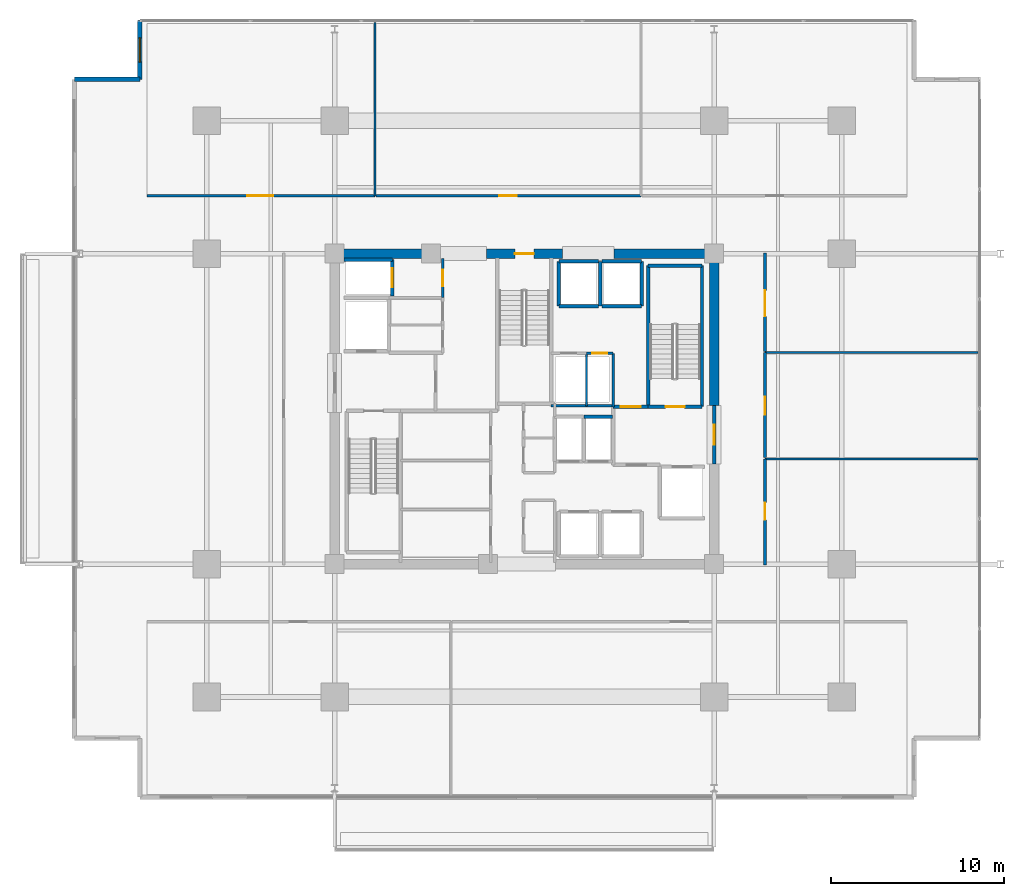
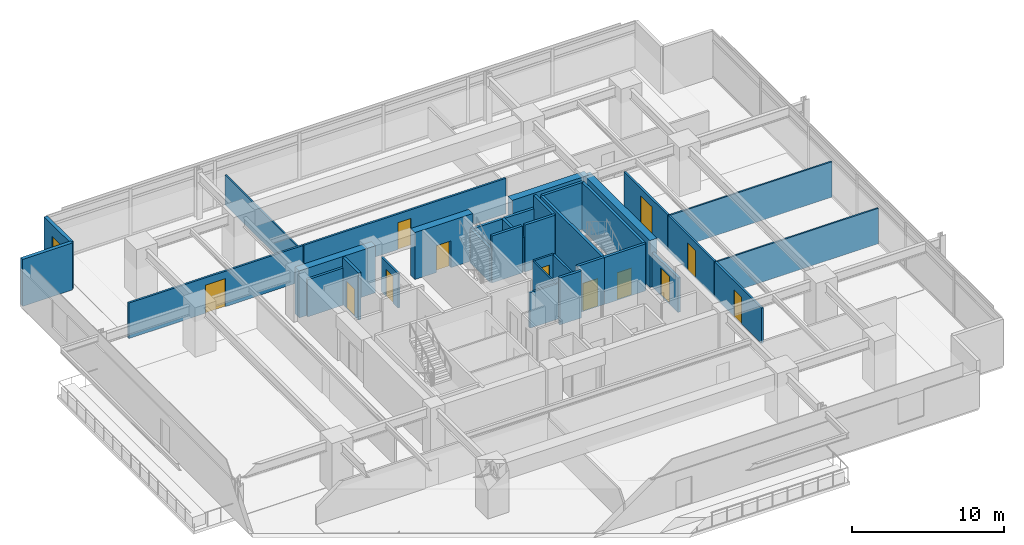
# One storey, part 16 of 23: 35 walls, 12 doors, 1 window, 13 openings.
"""IFC4 building model written with IfcOpenShell, lengths in metres."""

from ifc_helpers import new_model, si_unit, direction, frame, frame_2d, origin, place, context, subcontext, project, spatial, rectangle, extrude, material, layer, layer_set, type_object, element, fill, save


model = new_model("IFC4")

# Units and contexts
model_context = context("Model", 3, precision=1e-05, world=origin(), true_north=direction((0.0, 1.0)))
body_context = subcontext(model_context, "Body", "Model", "MODEL_VIEW")
ifc_project = project(units=[si_unit("LENGTHUNIT", "METRE"), si_unit("AREAUNIT", "SQUARE_METRE"), si_unit("VOLUMEUNIT", "CUBIC_METRE"), si_unit("PLANEANGLEUNIT", "RADIAN"), si_unit("MASSUNIT", "GRAM", prefix="KILO")], contexts=[model_context])

# Site, building, storey
site_placement = place(None, origin())
site = spatial("IfcSite", under=ifc_project, at=site_placement, CompositionType="ELEMENT")
building_placement = place(site_placement, origin())
building = spatial("IfcBuilding", under=site, at=building_placement, Name="Kovane Verandah Tower", CompositionType="ELEMENT")
storey_placement = place(building_placement, frame((0.0, 0.0, 136.39990234375)))
storey = spatial("IfcBuildingStorey", under=building, at=storey_placement, Name="L31", CompositionType="ELEMENT", Elevation=136.39990234375)

# Wall, opening, door
ifc_material_1 = material(Name="Fire-Rated Gypsum Stud Partition", Category="gypsum")
ifc_layer_1 = layer(ifc_material_1, 0.14990234375)
ifc_layer_set_1 = layer_set([ifc_layer_1], Name="Fire-Rated Gypsum Stud Partition")
wall_type_1 = type_object("IfcWallType", Name="WL-COR-150", PredefinedType="PARTITIONING", material=ifc_layer_set_1)
wall_1_placement = place(storey_placement, frame((35.280029296875, 33.949951171875, 0.0), z_axis=(0.0, 0.0, 1.0), x_axis=(0.0, 1.0, 0.0)))
wall_1 = element("IfcWall", 1, at=wall_1_placement, inside=storey, type_object=wall_type_1, Name="L31 Goods Lift Lobby East Fire Partition", PredefinedType="PARTITIONING", context=body_context, shape_type="SweptSolid", body=[
    extrude(rectangle(XDim=2.27001953125, YDim=0.14990234375, at=frame_2d((1.135009765625, 0.0))), origin(), (0.0, 0.0, 1.0), 2.755126953125),
])
opening_1_placement = place(wall_1_placement, frame((0.659912109375, 0.0, 0.0)))
opening_1 = element("IfcOpeningElement", 2, at=opening_1_placement, cuts=wall_1, Name="Opening DR-L31-008", PredefinedType="OPENING", context=body_context, shape_type="SweptSolid", body=[
    extrude(rectangle(XDim=0.949951171875, YDim=2.14990234375, at=frame_2d((0.47509765625, 1.074951171875))), frame((0.0, 0.074951171875, 0.0), z_axis=(0.0, -1.0, 0.0), x_axis=(1.0, 0.0, 0.0)), (0.0, 0.0, 1.0), 0.14990234375),
])
ifc_material_2 = material(Name="Fire-Rated Steel Refuge and Lobby Door", Category="steel")
door_type_1 = type_object("IfcDoorType", Name="DR-FIRE-950", OperationType="SINGLE_SWING_LEFT", PredefinedType="DOOR", material=ifc_material_2)
door_1_placement = place(opening_1_placement, origin())
door_1 = element("IfcDoor", 3, at=door_1_placement, inside=storey, type_object=door_type_1, Name="L31 Goods Lift Lobby Fire Door", OperationType="SINGLE_SWING_RIGHT", OverallHeight=2.14990234375, OverallWidth=0.949951171875, PredefinedType="DOOR", context=body_context, shape_type="SweptSolid", body=[
    extrude(rectangle(XDim=0.949951171875, YDim=2.14990234375, at=frame_2d((0.47509765625, 1.074951171875))), frame((0.0, 0.02490234375, 0.0), z_axis=(0.0, -1.0, 0.0), x_axis=(1.0, 0.0, 0.0)), (0.0, 0.0, 1.0), 0.050048828125),
])
fill(opening_1, door_1)

# Walls
wall_2_placement = place(storey_placement, frame((41.56005859375, 27.679931640625, 0.0), z_axis=(0.0, 0.0, 1.0), x_axis=(1.0, 0.0, 0.0)))
element("IfcWall", 4, at=wall_2_placement, inside=storey, type_object=wall_type_1, Name="L31 East Core Service Riser South Wall", PredefinedType="PARTITIONING", context=body_context, shape_type="SweptSolid", body=[
    extrude(rectangle(XDim=3.58984375, YDim=0.14990234375, at=frame_2d((1.794921875, 0.0))), origin(), (0.0, 0.0, 1.0), 2.85009765625),
])
wall_3_placement = place(storey_placement, frame((45.14990234375, 27.6201171875, 0.0), z_axis=(0.0, 0.0, 1.0), x_axis=(0.0, 1.0, 0.0)))
element("IfcWall", 5, at=wall_3_placement, inside=storey, type_object=wall_type_1, Name="L31 East Core Service Riser East Wall", PredefinedType="PARTITIONING", context=body_context, shape_type="SweptSolid", body=[
    extrude(rectangle(XDim=3.099853515625, YDim=0.14990234375, at=frame_2d((1.5498046875, 0.0))), origin(), (0.0, 0.0, 1.0), 2.85009765625),
])

# Wall, opening, door
wall_4_placement = place(storey_placement, frame((43.60009765625, 30.719970703125, 0.0), z_axis=(0.0, 0.0, 1.0), x_axis=(1.0, 0.0, 0.0)))
wall_4 = element("IfcWall", 6, at=wall_4_placement, inside=storey, type_object=wall_type_1, Name="L31 Sprinkler Wet Riser Room Partition", PredefinedType="PARTITIONING", context=body_context, shape_type="SweptSolid", body=[
    extrude(rectangle(XDim=1.5498046875, YDim=0.14990234375, at=frame_2d((0.77490234375, 0.0))), origin(), (0.0, 0.0, 1.0), 2.85009765625),
])
opening_2_placement = place(wall_4_placement, frame((0.3349609375, 0.0, 0.0)))
opening_2 = element("IfcOpeningElement", 7, at=opening_2_placement, cuts=wall_4, Name="Opening DR-L31-020", PredefinedType="OPENING", context=body_context, shape_type="SweptSolid", body=[
    extrude(rectangle(XDim=0.8798828125, YDim=2.10009765625, at=frame_2d((0.43994140625, 1.050048828125))), frame((0.0, 0.074951171875, 0.0), z_axis=(0.0, -1.0, 0.0), x_axis=(1.0, 0.0, 0.0)), (0.0, 0.0, 1.0), 0.14990234375),
])
ifc_material_3 = material(Name="Fire-Rated Steel Riser Access Door", Category="steel")
door_type_2 = type_object("IfcDoorType", Name="DR-RISER-880", OperationType="SINGLE_SWING_LEFT", PredefinedType="DOOR", material=ifc_material_3)
door_2_placement = place(opening_2_placement, origin())
door_2 = element("IfcDoor", 8, at=door_2_placement, inside=storey, type_object=door_type_2, Name="L31 Sprinkler Wet Riser Room Door", OperationType="SINGLE_SWING_LEFT", OverallHeight=2.10009765625, OverallWidth=0.8798828125, PredefinedType="DOOR", context=body_context, shape_type="SweptSolid", body=[
    extrude(rectangle(XDim=0.8798828125, YDim=2.10009765625, at=frame_2d((0.43994140625, 1.050048828125))), frame((0.0, 0.02490234375, 0.0), z_axis=(0.0, -1.0, 0.0), x_axis=(1.0, 0.0, 0.0)), (0.0, 0.0, 1.0), 0.050048828125),
])
fill(opening_2, door_2)

wall_5_placement = place(storey_placement, frame((18.113525390625, 39.85009765625, 0.0), z_axis=(0.0, 0.0, 1.0), x_axis=(1.0, 0.0, 0.0)))
wall_5 = element("IfcWall", 9, at=wall_5_placement, inside=storey, type_object=wall_type_1, Name="L31 Client Boardroom N1 Corridor Partition", PredefinedType="PARTITIONING", context=body_context, shape_type="SweptSolid", body=[
    extrude(rectangle(XDim=13.222900390625, YDim=0.14990234375, at=frame_2d((6.611328125, 0.0))), origin(), (0.0, 0.0, 1.0), 2.85009765625),
])
opening_3_placement = place(wall_5_placement, frame((5.826416015625, 0.0, 0.0)))
opening_3 = element("IfcOpeningElement", 10, at=opening_3_placement, cuts=wall_5, Name="Opening DR-L31-021", PredefinedType="OPENING", context=body_context, shape_type="SweptSolid", body=[
    extrude(rectangle(XDim=1.5, YDim=2.25, at=frame_2d((0.75, 1.125))), frame((0.0, 0.074951171875, 0.0), z_axis=(0.0, -1.0, 0.0), x_axis=(1.0, 0.0, 0.0)), (0.0, 0.0, 1.0), 0.14990234375),
])
ifc_material_4 = material(Name="Glazed Timber Fire-Rated Double Door", Category="wood")
door_type_3 = type_object("IfcDoorType", Name="DR-CONF-1500", OperationType="DOUBLE_DOOR_SINGLE_SWING", PredefinedType="DOOR", material=ifc_material_4)
door_3_placement = place(opening_3_placement, origin())
door_3 = element("IfcDoor", 11, at=door_3_placement, inside=storey, type_object=door_type_3, Name="L31 Client Boardroom N1 Entrance Door", OperationType="DOUBLE_DOOR_SINGLE_SWING", OverallHeight=2.25, OverallWidth=1.5, PredefinedType="DOOR", context=body_context, shape_type="SweptSolid", body=[
    extrude(rectangle(XDim=1.5, YDim=2.25, at=frame_2d((0.75, 1.125))), frame((0.0, 0.02490234375, 0.0), z_axis=(0.0, -1.0, 0.0), x_axis=(1.0, 0.0, 0.0)), (0.0, 0.0, 1.0), 0.050048828125),
])
fill(opening_3, door_3)

wall_6_placement = place(storey_placement, frame((31.406494140625, 39.85009765625, 0.0), z_axis=(0.0, 0.0, 1.0), x_axis=(1.0, 0.0, 0.0)))
wall_6 = element("IfcWall", 12, at=wall_6_placement, inside=storey, type_object=wall_type_1, Name="L31 Meeting Room N2 Corridor Partition", PredefinedType="PARTITIONING", context=body_context, shape_type="SweptSolid", body=[
    extrude(rectangle(XDim=15.356689453125, YDim=0.14990234375, at=frame_2d((7.67822265625, 0.0))), origin(), (0.0, 0.0, 1.0), 2.85009765625),
])
opening_4_placement = place(wall_6_placement, frame((7.143310546875, 0.0, 0.0)))
opening_4 = element("IfcOpeningElement", 13, at=opening_4_placement, cuts=wall_6, Name="Opening DR-L31-022", PredefinedType="OPENING", context=body_context, shape_type="SweptSolid", body=[
    extrude(rectangle(XDim=1.0, YDim=2.14990234375, at=frame_2d((0.5, 1.074951171875))), frame((0.0, 0.074951171875, 0.0), z_axis=(0.0, -1.0, 0.0), x_axis=(1.0, 0.0, 0.0)), (0.0, 0.0, 1.0), 0.14990234375),
])
ifc_material_5 = material(Name="FSC Spotted-Gum Timber Fire-Rated Office Door", Category="wood")
door_type_4 = type_object("IfcDoorType", Name="DR-OFF-1000", OperationType="SINGLE_SWING_LEFT", PredefinedType="DOOR", material=ifc_material_5)
door_4_placement = place(opening_4_placement, origin())
door_4 = element("IfcDoor", 14, at=door_4_placement, inside=storey, type_object=door_type_4, Name="L31 Meeting Room N2 Entrance Door", OperationType="SINGLE_SWING_LEFT", OverallHeight=2.14990234375, OverallWidth=1.0, PredefinedType="DOOR", context=body_context, shape_type="SweptSolid", body=[
    extrude(rectangle(XDim=1.0, YDim=2.14990234375, at=frame_2d((0.5, 1.074951171875))), frame((0.0, 0.02490234375, 0.0), z_axis=(0.0, -1.0, 0.0), x_axis=(1.0, 0.0, 0.0)), (0.0, 0.0, 1.0), 0.050048828125),
])
fill(opening_4, door_4)

wall_7_placement = place(storey_placement, frame((53.949951171875, 18.449951171875, 0.0), z_axis=(0.0, 0.0, 1.0), x_axis=(0.0, 1.0, 0.0)))
wall_7 = element("IfcWall", 15, at=wall_7_placement, inside=storey, type_object=wall_type_1, Name="L31 Open Plan Office E1 Corridor Partition", PredefinedType="PARTITIONING", context=body_context, shape_type="SweptSolid", body=[
    extrude(rectangle(XDim=6.154052734375, YDim=0.14990234375, at=frame_2d((3.0771484375, 0.0))), origin(), (0.0, 0.0, 1.0), 2.85009765625),
])
opening_5_placement = place(wall_7_placement, frame((2.616943359375, 0.0, 0.0)))
opening_5 = element("IfcOpeningElement", 16, at=opening_5_placement, cuts=wall_7, Name="Opening DR-L31-013", PredefinedType="OPENING", context=body_context, shape_type="SweptSolid", body=[
    extrude(rectangle(XDim=1.0, YDim=2.14990234375, at=frame_2d((0.5, 1.074951171875))), frame((0.0, 0.074951171875, 0.0), z_axis=(0.0, -1.0, 0.0), x_axis=(1.0, 0.0, 0.0)), (0.0, 0.0, 1.0), 0.14990234375),
])
door_5_placement = place(opening_5_placement, origin())
door_5 = element("IfcDoor", 17, at=door_5_placement, inside=storey, type_object=door_type_4, Name="L31 Open Plan Office E1 Entrance Door", OperationType="SINGLE_SWING_RIGHT", OverallHeight=2.14990234375, OverallWidth=1.0, PredefinedType="DOOR", context=body_context, shape_type="SweptSolid", body=[
    extrude(rectangle(XDim=1.0, YDim=2.14990234375, at=frame_2d((0.5, 1.074951171875))), frame((0.0, 0.02490234375, 0.0), z_axis=(0.0, -1.0, 0.0), x_axis=(1.0, 0.0, 0.0)), (0.0, 0.0, 1.0), 0.050048828125),
])
fill(opening_5, door_5)

wall_8_placement = place(storey_placement, frame((53.949951171875, 24.674072265625, 0.0), z_axis=(0.0, 0.0, 1.0), x_axis=(0.0, 1.0, 0.0)))
wall_8 = element("IfcWall", 18, at=wall_8_placement, inside=storey, type_object=wall_type_1, Name="L31 Executive Office E2 Corridor Partition", PredefinedType="PARTITIONING", context=body_context, shape_type="SweptSolid", body=[
    extrude(rectangle(XDim=6.083984375, YDim=0.14990234375, at=frame_2d((3.0419921875, 0.0))), origin(), (0.0, 0.0, 1.0), 2.85009765625),
])
opening_6_placement = place(wall_8_placement, frame((2.48193359375, 0.0, 0.0)))
opening_6 = element("IfcOpeningElement", 19, at=opening_6_placement, cuts=wall_8, Name="Opening DR-L31-014", PredefinedType="OPENING", context=body_context, shape_type="SweptSolid", body=[
    extrude(rectangle(XDim=1.050048828125, YDim=2.199951171875, at=frame_2d((0.52490234375, 1.10009765625))), frame((0.0, 0.074951171875, 0.0), z_axis=(0.0, -1.0, 0.0), x_axis=(1.0, 0.0, 0.0)), (0.0, 0.0, 1.0), 0.14990234375),
])
ifc_material_6 = material(Name="FSC Blackbutt Timber Fire-Rated Executive Door", Category="wood")
door_type_5 = type_object("IfcDoorType", Name="DR-EXEC-1050", OperationType="SINGLE_SWING_LEFT", PredefinedType="DOOR", material=ifc_material_6)
door_6_placement = place(opening_6_placement, origin())
door_6 = element("IfcDoor", 20, at=door_6_placement, inside=storey, type_object=door_type_5, Name="L31 Executive Office E2 Entrance Door", OperationType="SINGLE_SWING_LEFT", OverallHeight=2.199951171875, OverallWidth=1.050048828125, PredefinedType="DOOR", context=body_context, shape_type="SweptSolid", body=[
    extrude(rectangle(XDim=1.050048828125, YDim=2.199951171875, at=frame_2d((0.52490234375, 1.10009765625))), frame((0.0, 0.02490234375, 0.0), z_axis=(0.0, -1.0, 0.0), x_axis=(1.0, 0.0, 0.0)), (0.0, 0.0, 1.0), 0.050048828125),
])
fill(opening_6, door_6)

wall_9_placement = place(storey_placement, frame((53.949951171875, 30.827880859375, 0.0), z_axis=(0.0, 0.0, 1.0), x_axis=(0.0, 1.0, 0.0)))
wall_9 = element("IfcWall", 21, at=wall_9_placement, inside=storey, type_object=wall_type_1, Name="L31 Client Boardroom E3 Corridor Partition", PredefinedType="PARTITIONING", context=body_context, shape_type="SweptSolid", body=[
    extrude(rectangle(XDim=5.72216796875, YDim=0.14990234375, at=frame_2d((2.861083984375, 0.0))), origin(), (0.0, 0.0, 1.0), 2.85009765625),
])
opening_7_placement = place(wall_9_placement, frame((2.035888671875, 0.0, 0.0)))
opening_7 = element("IfcOpeningElement", 22, at=opening_7_placement, cuts=wall_9, Name="Opening DR-L31-015", PredefinedType="OPENING", context=body_context, shape_type="SweptSolid", body=[
    extrude(rectangle(XDim=1.5, YDim=2.25, at=frame_2d((0.75, 1.125))), frame((0.0, 0.074951171875, 0.0), z_axis=(0.0, -1.0, 0.0), x_axis=(1.0, 0.0, 0.0)), (0.0, 0.0, 1.0), 0.14990234375),
])
door_7_placement = place(opening_7_placement, origin())
door_7 = element("IfcDoor", 23, at=door_7_placement, inside=storey, type_object=door_type_3, Name="L31 Client Boardroom E3 Entrance Door", OperationType="DOUBLE_DOOR_SINGLE_SWING", OverallHeight=2.25, OverallWidth=1.5, PredefinedType="DOOR", context=body_context, shape_type="SweptSolid", body=[
    extrude(rectangle(XDim=1.5, YDim=2.25, at=frame_2d((0.75, 1.125))), frame((0.0, 0.02490234375, 0.0), z_axis=(0.0, -1.0, 0.0), x_axis=(1.0, 0.0, 0.0)), (0.0, 0.0, 1.0), 0.050048828125),
])
fill(opening_7, door_7)

# Wall
ifc_material_7 = material(Name="Concrete C60/75", Category="concrete")
ifc_layer_2 = layer(ifc_material_7, 0.550048828125)
ifc_layer_set_2 = layer_set([ifc_layer_2], Name="Concrete C60/75")
wall_type_2 = type_object("IfcWallType", Name="WL-CORE-550", PredefinedType="SHEAR", material=ifc_layer_set_2)
wall_10_placement = place(storey_placement, frame((29.0, 36.5, 0.0), z_axis=(0.0, 0.0, 1.0), x_axis=(1.0, 0.0, 0.0)))
element("IfcWall", 24, at=wall_10_placement, inside=storey, type_object=wall_type_2, Name="L31 Core Shear Wall CN-1", PredefinedType="SHEAR", context=body_context, shape_type="SweptSolid", body=[
    extrude(rectangle(XDim=5.800048828125, YDim=0.550048828125, at=frame_2d((2.89990234375, 0.0))), origin(), (0.0, 0.0, 1.0), 3.775146484375),
])

# Wall, opening, door
wall_11_placement = place(storey_placement, frame((37.800048828125, 36.5, 0.0), z_axis=(0.0, 0.0, 1.0), x_axis=(1.0, 0.0, 0.0)))
wall_11 = element("IfcWall", 25, at=wall_11_placement, inside=storey, type_object=wall_type_2, Name="L31 Core Shear Wall CN-2", PredefinedType="SHEAR", context=body_context, shape_type="SweptSolid", body=[
    extrude(rectangle(XDim=4.39990234375, YDim=0.550048828125, at=frame_2d((2.199951171875, 0.0))), origin(), (0.0, 0.0, 1.0), 3.775146484375),
])
opening_8_placement = place(wall_11_placement, frame((1.64990234375, 0.0, 0.0)))
opening_8 = element("IfcOpeningElement", 26, at=opening_8_placement, cuts=wall_11, Name="Opening DR-L31-011", PredefinedType="OPENING", context=body_context, shape_type="SweptSolid", body=[
    extrude(rectangle(XDim=1.10009765625, YDim=2.14990234375, at=frame_2d((0.550048828125, 1.074951171875))), frame((0.0, 0.27490234375, 0.0), z_axis=(0.0, -1.0, 0.0), x_axis=(1.0, 0.0, 0.0)), (0.0, 0.0, 1.0), 0.550048828125),
])
ifc_material_8 = material(Name="Fire-Rated Steel Exit Door", Category="steel")
door_type_6 = type_object("IfcDoorType", Name="DR-STAIR-1100", OperationType="SINGLE_SWING_LEFT", PredefinedType="DOOR", material=ifc_material_8)
door_8_placement = place(opening_8_placement, origin())
door_8 = element("IfcDoor", 27, at=door_8_placement, inside=storey, type_object=door_type_6, Name="L31 ST-03 Fire Exit Stair Door", OperationType="SINGLE_SWING_RIGHT", OverallHeight=2.14990234375, OverallWidth=1.10009765625, PredefinedType="DOOR", context=body_context, shape_type="SweptSolid", body=[
    extrude(rectangle(XDim=1.10009765625, YDim=2.14990234375, at=frame_2d((0.550048828125, 1.074951171875))), frame((0.0, 0.02490234375, 0.0), z_axis=(0.0, -1.0, 0.0), x_axis=(1.0, 0.0, 0.0)), (0.0, 0.0, 1.0), 0.050048828125),
])
fill(opening_8, door_8)

# Walls
wall_12_placement = place(storey_placement, frame((45.199951171875, 36.5, 0.0), z_axis=(0.0, 0.0, 1.0), x_axis=(1.0, 0.0, 0.0)))
element("IfcWall", 28, at=wall_12_placement, inside=storey, type_object=wall_type_2, Name="L31 Core Shear Wall CN-3", PredefinedType="SHEAR", context=body_context, shape_type="SweptSolid", body=[
    extrude(rectangle(XDim=5.800048828125, YDim=0.550048828125, at=frame_2d((2.89990234375, 0.0))), origin(), (0.0, 0.0, 1.0), 3.775146484375),
])
wall_13_placement = place(storey_placement, frame((51.0, 27.699951171875, 0.0), z_axis=(0.0, 0.0, 1.0), x_axis=(0.0, 1.0, 0.0)))
element("IfcWall", 29, at=wall_13_placement, inside=storey, type_object=wall_type_2, Name="L31 Core Shear Wall CE-2", PredefinedType="SHEAR", context=body_context, shape_type="SweptSolid", body=[
    extrude(rectangle(XDim=8.800048828125, YDim=0.550048828125, at=frame_2d((4.39990234375, 0.0))), origin(), (0.0, 0.0, 1.0), 3.775146484375),
])

# Wall, opening, door
ifc_material_9 = material(Name="Concrete C45/55 Fire Wall", Category="concrete")
ifc_layer_3 = layer(ifc_material_9, 0.199951171875)
ifc_layer_set_3 = layer_set([ifc_layer_3], Name="Concrete C45/55 Fire Wall")
wall_type_3 = type_object("IfcWallType", Name="WL-FFL-200", PredefinedType="PARTITIONING", material=ifc_layer_set_3)
wall_14_placement = place(storey_placement, frame((45.14990234375, 27.6201171875, 0.0), z_axis=(0.0, 0.0, 1.0), x_axis=(1.0, 0.0, 0.0)))
wall_14 = element("IfcWall", 30, at=wall_14_placement, inside=storey, type_object=wall_type_3, Name="W-L31-FFLE-N", PredefinedType="PARTITIONING", context=body_context, shape_type="SweptSolid", body=[
    extrude(rectangle(XDim=2.030029296875, YDim=0.199951171875, at=frame_2d((1.01513671875, 0.0))), origin(), (0.0, 0.0, 1.0), 3.775146484375),
])
opening_9_placement = place(wall_14_placement, frame((0.43994140625, 0.0, 0.0)))
opening_9 = element("IfcOpeningElement", 31, at=opening_9_placement, cuts=wall_14, Name="Opening DR-L31-004", PredefinedType="OPENING", context=body_context, shape_type="SweptSolid", body=[
    extrude(rectangle(XDim=1.14990234375, YDim=2.199951171875, at=frame_2d((0.574951171875, 1.10009765625))), frame((0.0, 0.10009765625, 0.0), z_axis=(0.0, -1.0, 0.0), x_axis=(1.0, 0.0, 0.0)), (0.0, 0.0, 1.0), 0.199951171875),
])
ifc_material_10 = material(Name="Smoke-Sealed Firefighting Lobby Door", Category="steel")
door_type_7 = type_object("IfcDoorType", Name="DR-FFL-1150", OperationType="SINGLE_SWING_LEFT", PredefinedType="DOOR", material=ifc_material_10)
door_9_placement = place(opening_9_placement, origin())
door_9 = element("IfcDoor", 32, at=door_9_placement, inside=storey, type_object=door_type_7, Name="L31 East Firefighting Lobby Shuttle Link Door", OperationType="SINGLE_SWING_LEFT", OverallHeight=2.199951171875, OverallWidth=1.14990234375, PredefinedType="DOOR", context=body_context, shape_type="SweptSolid", body=[
    extrude(rectangle(XDim=1.14990234375, YDim=2.199951171875, at=frame_2d((0.574951171875, 1.10009765625))), frame((0.0, 0.02490234375, 0.0), z_axis=(0.0, -1.0, 0.0), x_axis=(1.0, 0.0, 0.0)), (0.0, 0.0, 1.0), 0.050048828125),
])
fill(opening_9, door_9)

wall_15_placement = place(storey_placement, frame((51.0, 24.300048828125, 0.0), z_axis=(0.0, 0.0, 1.0), x_axis=(0.0, 1.0, 0.0)))
wall_15 = element("IfcWall", 33, at=wall_15_placement, inside=storey, type_object=wall_type_3, Name="W-L31-FFLE-OUT", PredefinedType="PARTITIONING", context=body_context, shape_type="SweptSolid", body=[
    extrude(rectangle(XDim=3.39990234375, YDim=0.199951171875, at=frame_2d((1.699951171875, 0.0))), origin(), (0.0, 0.0, 1.0), 2.755126953125),
])
opening_10_placement = place(wall_15_placement, frame((1.125, 0.0, 0.0)))
opening_10 = element("IfcOpeningElement", 34, at=opening_10_placement, cuts=wall_15, Name="Opening DR-L31-005", PredefinedType="OPENING", context=body_context, shape_type="SweptSolid", body=[
    extrude(rectangle(XDim=1.14990234375, YDim=2.199951171875, at=frame_2d((0.574951171875, 1.10009765625))), frame((0.0, 0.10009765625, 0.0), z_axis=(0.0, -1.0, 0.0), x_axis=(1.0, 0.0, 0.0)), (0.0, 0.0, 1.0), 0.199951171875),
])
door_10_placement = place(opening_10_placement, origin())
door_10 = element("IfcDoor", 35, at=door_10_placement, inside=storey, type_object=door_type_7, Name="L31 East Firefighting Lobby Corridor Door", OperationType="SINGLE_SWING_LEFT", OverallHeight=2.199951171875, OverallWidth=1.14990234375, PredefinedType="DOOR", context=body_context, shape_type="SweptSolid", body=[
    extrude(rectangle(XDim=1.14990234375, YDim=2.199951171875, at=frame_2d((0.574951171875, 1.10009765625))), frame((0.0, 0.02490234375, 0.0), z_axis=(0.0, -1.0, 0.0), x_axis=(1.0, 0.0, 0.0)), (0.0, 0.0, 1.0), 0.050048828125),
])
fill(opening_10, door_10)

# Wall
ifc_material_11 = material(Name="Concrete C45/55 Lift Shaft Wall", Category="concrete")
ifc_layer_4 = layer(ifc_material_11, 0.199951171875)
ifc_layer_set_4 = layer_set([ifc_layer_4], Name="Concrete C45/55 Lift Shaft Wall")
wall_type_4 = type_object("IfcWallType", Name="WL-LIFT-200", PredefinedType="SOLIDWALL", material=ifc_layer_set_4)
wall_16_placement = place(storey_placement, frame((32.35009765625, 36.14990234375, 0.0), z_axis=(0.0, 0.0, 1.0), x_axis=(-1.0, 0.0, 0.0)))
element("IfcWall", 36, at=wall_16_placement, inside=storey, type_object=wall_type_4, Name="L31 Lift GL-01 N Shaft Wall", PredefinedType="SOLIDWALL", context=body_context, shape_type="SweptSolid", body=[
    extrude(rectangle(XDim=2.800048828125, YDim=0.199951171875, at=frame_2d((1.39990234375, 0.0))), origin(), (0.0, 0.0, 1.0), 2.9853515625),
])

# Wall, opening, door
wall_17_placement = place(storey_placement, frame((32.35009765625, 34.050048828125, 0.0), z_axis=(0.0, 0.0, 1.0), x_axis=(0.0, 1.0, 0.0)))
wall_17 = element("IfcWall", 37, at=wall_17_placement, inside=storey, type_object=wall_type_4, Name="L31 Lift GL-01 E Shaft Wall", PredefinedType="SOLIDWALL", context=body_context, shape_type="SweptSolid", body=[
    extrude(rectangle(XDim=2.099853515625, YDim=0.199951171875, at=frame_2d((1.0498046875, 0.0))), origin(), (0.0, 0.0, 1.0), 3.775146484375),
])
opening_11_placement = place(wall_17_placement, frame((0.5, 0.0, 0.0)))
opening_11 = element("IfcOpeningElement", 38, at=opening_11_placement, cuts=wall_17, Name="Opening LD-L31-003", PredefinedType="OPENING", context=body_context, shape_type="SweptSolid", body=[
    extrude(rectangle(XDim=1.10009765625, YDim=2.199951171875, at=frame_2d((0.550048828125, 1.10009765625))), frame((0.0, 0.10009765625, 0.0), z_axis=(0.0, -1.0, 0.0), x_axis=(1.0, 0.0, 0.0)), (0.0, 0.0, 1.0), 0.199951171875),
])
ifc_material_12 = material(Name="Brushed Stainless Steel Sliding Lift Landing Door", Category="steel")
door_type_8 = type_object("IfcDoorType", Name="DR-LIFT-1100", OperationType="SLIDING_TO_RIGHT", PredefinedType="DOOR", material=ifc_material_12)
door_11_placement = place(opening_11_placement, origin())
door_11 = element("IfcDoor", 39, at=door_11_placement, inside=storey, type_object=door_type_8, Name="L31 Lift GL-01 Sliding Landing Door", OperationType="SLIDING_TO_RIGHT", OverallHeight=2.199951171875, OverallWidth=1.10009765625, PredefinedType="DOOR", context=body_context, shape_type="SweptSolid", body=[
    extrude(rectangle(XDim=1.10009765625, YDim=2.199951171875, at=frame_2d((0.550048828125, 1.10009765625))), frame((0.0, 0.02490234375, 0.0), z_axis=(0.0, -1.0, 0.0), x_axis=(1.0, 0.0, 0.0)), (0.0, 0.0, 1.0), 0.050048828125),
])
fill(opening_11, door_11)

# Walls
wall_18_placement = place(storey_placement, frame((45.1201171875, 27.050048828125, 0.0), z_axis=(0.0, 0.0, 1.0), x_axis=(-1.0, 0.0, 0.0)))
element("IfcWall", 40, at=wall_18_placement, inside=storey, type_object=wall_type_4, Name="L31 Lift PL-M4 N Shaft Wall", PredefinedType="SOLIDWALL", context=body_context, shape_type="SweptSolid", body=[
    extrude(rectangle(XDim=1.66015625, YDim=0.199951171875, at=frame_2d((0.830078125, 0.0))), origin(), (0.0, 0.0, 1.0), 3.775146484375),
])
wall_19_placement = place(storey_placement, frame((42.0, 33.449951171875, 0.0), z_axis=(0.0, 0.0, 1.0), x_axis=(1.0, 0.0, 0.0)))
element("IfcWall", 41, at=wall_19_placement, inside=storey, type_object=wall_type_4, Name="L31 Lift SL-01 S Shaft Wall", PredefinedType="SOLIDWALL", context=body_context, shape_type="SweptSolid", body=[
    extrude(rectangle(XDim=2.300048828125, YDim=0.199951171875, at=frame_2d((1.14990234375, 0.0))), origin(), (0.0, 0.0, 1.0), 3.775146484375),
])
wall_20_placement = place(storey_placement, frame((44.300048828125, 36.050048828125, 0.0), z_axis=(0.0, 0.0, 1.0), x_axis=(-1.0, 0.0, 0.0)))
element("IfcWall", 42, at=wall_20_placement, inside=storey, type_object=wall_type_4, Name="L31 Lift SL-01 N Shaft Wall", PredefinedType="SOLIDWALL", context=body_context, shape_type="SweptSolid", body=[
    extrude(rectangle(XDim=2.300048828125, YDim=0.199951171875, at=frame_2d((1.14990234375, 0.0))), origin(), (0.0, 0.0, 1.0), 2.755126953125),
])
for number, where, z_axis, x_axis, name in (
    (43, (42.0, 36.050048828125, 0.0), (0.0, 0.0, 1.0), (0.0, -1.0, 0.0), "L31 Lift SL-01 W Shaft Wall"),
    (44, (44.39990234375, 33.449951171875, 0.0), (0.0, 0.0, 1.0), (0.0, 1.0, 0.0), "L31 Lift OL-01 and SL-01 Shared Shaft Wall"),
):
    element("IfcWall", number, at=place(storey_placement, frame(where, z_axis=z_axis, x_axis=x_axis)), inside=storey, type_object=wall_type_4, Name=name, PredefinedType="SOLIDWALL", context=body_context, shape_type="SweptSolid", body=[
        extrude(rectangle(XDim=2.60009765625, YDim=0.199951171875, at=frame_2d((1.300048828125, 0.0))), origin(), (0.0, 0.0, 1.0), 2.755126953125),
    ])
wall_21_placement = place(storey_placement, frame((44.5, 33.449951171875, 0.0), z_axis=(0.0, 0.0, 1.0), x_axis=(1.0, 0.0, 0.0)))
element("IfcWall", 45, at=wall_21_placement, inside=storey, type_object=wall_type_4, Name="L31 Lift OL-01 S Shaft Wall", PredefinedType="SOLIDWALL", context=body_context, shape_type="SweptSolid", body=[
    extrude(rectangle(XDim=2.300048828125, YDim=0.199951171875, at=frame_2d((1.14990234375, 0.0))), origin(), (0.0, 0.0, 1.0), 3.775146484375),
])
wall_22_placement = place(storey_placement, frame((46.800048828125, 36.050048828125, 0.0), z_axis=(0.0, 0.0, 1.0), x_axis=(-1.0, 0.0, 0.0)))
element("IfcWall", 46, at=wall_22_placement, inside=storey, type_object=wall_type_4, Name="L31 Lift OL-01 N Shaft Wall", PredefinedType="SOLIDWALL", context=body_context, shape_type="SweptSolid", body=[
    extrude(rectangle(XDim=2.300048828125, YDim=0.199951171875, at=frame_2d((1.14990234375, 0.0))), origin(), (0.0, 0.0, 1.0), 2.755126953125),
])
wall_23_placement = place(storey_placement, frame((46.800048828125, 33.449951171875, 0.0), z_axis=(0.0, 0.0, 1.0), x_axis=(0.0, 1.0, 0.0)))
element("IfcWall", 47, at=wall_23_placement, inside=storey, type_object=wall_type_4, Name="L31 Lift OL-01 E Shaft Wall", PredefinedType="SOLIDWALL", context=body_context, shape_type="SweptSolid", body=[
    extrude(rectangle(XDim=2.60009765625, YDim=0.199951171875, at=frame_2d((1.300048828125, 0.0))), origin(), (0.0, 0.0, 1.0), 3.775146484375),
])
ifc_material_13 = material(Name="Acoustic Fire-Rated Gypsum Partition", Category="gypsum")
ifc_layer_5 = layer(ifc_material_13, 0.1201171875)
ifc_layer_set_5 = layer_set([ifc_layer_5], Name="Acoustic Fire-Rated Gypsum Partition")
wall_type_5 = type_object("IfcWallType", Name="WL-PART-120", PredefinedType="PARTITIONING", material=ifc_layer_set_5)
wall_24_placement = place(storey_placement, frame((43.60009765625, 27.679931640625, 0.0), z_axis=(0.0, 0.0, 1.0), x_axis=(0.0, 1.0, 0.0)))
element("IfcWall", 48, at=wall_24_placement, inside=storey, type_object=wall_type_5, Name="L31 Service Riser Dividing Partition", PredefinedType="PARTITIONING", context=body_context, shape_type="SweptSolid", body=[
    extrude(rectangle(XDim=3.0400390625, YDim=0.1201171875, at=frame_2d((1.52001953125, 0.0))), origin(), (0.0, 0.0, 1.0), 2.85009765625),
])
wall_25_placement = place(storey_placement, frame((31.33642578125, 39.85009765625, 0.0), z_axis=(0.0, 0.0, 1.0), x_axis=(0.0, 1.0, 0.0)))
element("IfcWall", 49, at=wall_25_placement, inside=storey, type_object=wall_type_5, Name="L31 Client Boardroom N1 Dividing Partition", PredefinedType="PARTITIONING", context=body_context, shape_type="SweptSolid", body=[
    extrude(rectangle(XDim=10.05029296875, YDim=0.1201171875, at=frame_2d((5.025146484375, 0.0))), origin(), (0.0, 0.0, 1.0), 2.405029296875),
])
for number, where, z_axis, x_axis, name in (
    (50, (53.949951171875, 24.60400390625, 0.0), (0.0, 0.0, 1.0), (1.0, 0.0, 0.0), "L31 Open Plan Office E1 Dividing Partition"),
    (51, (53.949951171875, 30.758056640625, 0.0), (0.0, 0.0, 1.0), (1.0, 0.0, 0.0), "L31 Executive Office E2 Dividing Partition"),
):
    element("IfcWall", number, at=place(storey_placement, frame(where, z_axis=z_axis, x_axis=x_axis)), inside=storey, type_object=wall_type_5, Name=name, PredefinedType="PARTITIONING", context=body_context, shape_type="SweptSolid", body=[
        extrude(rectangle(XDim=12.33984375, YDim=0.1201171875, at=frame_2d((6.169921875, 0.0))), origin(), (0.0, 0.0, 1.0), 2.85009765625),
    ])
ifc_material_14 = material(Name="Concrete C45/55", Category="concrete")
ifc_layer_6 = layer(ifc_material_14, 0.199951171875)
ifc_layer_set_6 = layer_set([ifc_layer_6], Name="Concrete C45/55")
wall_type_6 = type_object("IfcWallType", Name="WL-SHAFT-200", PredefinedType="SOLIDWALL", material=ifc_layer_set_6)
wall_26_placement = place(storey_placement, frame((50.300048828125, 27.64990234375, 0.0), z_axis=(0.0, 0.0, 1.0), x_axis=(0.0, 1.0, 0.0)))
element("IfcWall", 52, at=wall_26_placement, inside=storey, type_object=wall_type_6, Name="W-L31-ST02-E", PredefinedType="SOLIDWALL", context=body_context, shape_type="SweptSolid", body=[
    extrude(rectangle(XDim=8.150146484375, YDim=0.199951171875, at=frame_2d((4.0751953125, 0.0))), origin(), (0.0, 0.0, 1.0), 3.775146484375),
])
wall_27_placement = place(storey_placement, frame((47.179931640625, 35.800048828125, 0.0), z_axis=(0.0, 0.0, 1.0), x_axis=(1.0, 0.0, 0.0)))
element("IfcWall", 53, at=wall_27_placement, inside=storey, type_object=wall_type_6, Name="W-L31-ST02-N", PredefinedType="SOLIDWALL", context=body_context, shape_type="SweptSolid", body=[
    extrude(rectangle(XDim=3.1201171875, YDim=0.199951171875, at=frame_2d((1.56005859375, 0.0))), origin(), (0.0, 0.0, 1.0), 3.775146484375),
])
wall_28_placement = place(storey_placement, frame((47.179931640625, 27.6201171875, 0.0), z_axis=(0.0, 0.0, 1.0), x_axis=(0.0, 1.0, 0.0)))
element("IfcWall", 54, at=wall_28_placement, inside=storey, type_object=wall_type_6, Name="W-L31-ST02-W", PredefinedType="SOLIDWALL", context=body_context, shape_type="SweptSolid", body=[
    extrude(rectangle(XDim=8.179931640625, YDim=0.199951171875, at=frame_2d((4.08984375, 0.0))), origin(), (0.0, 0.0, 1.0), 3.775146484375),
])

# Wall, opening, door
wall_29_placement = place(storey_placement, frame((47.179931640625, 27.6201171875, 0.0), z_axis=(0.0, 0.0, 1.0), x_axis=(1.0, 0.0, 0.0)))
wall_29 = element("IfcWall", 55, at=wall_29_placement, inside=storey, type_object=wall_type_6, Name="W-L31-ST02-S", PredefinedType="SOLIDWALL", context=body_context, shape_type="SweptSolid", body=[
    extrude(rectangle(XDim=3.1201171875, YDim=0.199951171875, at=frame_2d((1.56005859375, 0.0))), origin(), (0.0, 0.0, 1.0), 3.775146484375),
])
opening_12_placement = place(wall_29_placement, frame((1.010009765625, 0.0, 0.0)))
opening_12 = element("IfcOpeningElement", 56, at=opening_12_placement, cuts=wall_29, Name="Opening DR-L31-010", PredefinedType="OPENING", context=body_context, shape_type="SweptSolid", body=[
    extrude(rectangle(XDim=1.10009765625, YDim=2.14990234375, at=frame_2d((0.550048828125, 1.074951171875))), frame((0.0, 0.10009765625, 0.0), z_axis=(0.0, -1.0, 0.0), x_axis=(1.0, 0.0, 0.0)), (0.0, 0.0, 1.0), 0.199951171875),
])
door_12_placement = place(opening_12_placement, origin())
door_12 = element("IfcDoor", 57, at=door_12_placement, inside=storey, type_object=door_type_6, Name="L31 ST-02 Fire Exit Stair Door", OperationType="SINGLE_SWING_LEFT", OverallHeight=2.14990234375, OverallWidth=1.10009765625, PredefinedType="DOOR", context=body_context, shape_type="SweptSolid", body=[
    extrude(rectangle(XDim=1.10009765625, YDim=2.14990234375, at=frame_2d((0.550048828125, 1.074951171875))), frame((0.0, 0.02490234375, 0.0), z_axis=(0.0, -1.0, 0.0), x_axis=(1.0, 0.0, 0.0)), (0.0, 0.0, 1.0), 0.050048828125),
])
fill(opening_12, door_12)

# Wall, opening, window
ifc_material_15 = material(Name="Concrete C45/55 Insulated Spandrel Wall", Category="concrete")
ifc_layer_7 = layer(ifc_material_15, 0.260009765625)
ifc_layer_set_7 = layer_set([ifc_layer_7], Name="Concrete C45/55 Insulated Spandrel Wall")
wall_type_7 = type_object("IfcWallType", Name="WL-SPANDREL-260", PredefinedType="PARAPET", material=ifc_layer_set_7)
wall_30_placement = place(storey_placement, frame((17.713623046875, 50.00048828125, 0.0), z_axis=(0.0, 0.0, 1.0), x_axis=(0.0, -1.0, 0.0)))
wall_30 = element("IfcWall", 58, at=wall_30_placement, inside=storey, type_object=wall_type_7, Name="L31 NW Notch Cheek Wall 1", PredefinedType="PARAPET", context=body_context, shape_type="SweptSolid", body=[
    extrude(rectangle(XDim=3.39990234375, YDim=0.260009765625, at=frame_2d((1.699951171875, 0.0))), origin(), (0.0, 0.0, 1.0), 3.775146484375),
])
opening_13_placement = place(wall_30_placement, frame((1.0, 0.0, 0.85009765625)))
opening_13 = element("IfcOpeningElement", 59, at=opening_13_placement, cuts=wall_30, Name="Opening W-01", PredefinedType="OPENING", context=body_context, shape_type="SweptSolid", body=[
    extrude(rectangle(XDim=1.39990234375, YDim=2.0, at=frame_2d((0.699951171875, 1.0))), frame((0.0, 0.1298828125, 0.0), z_axis=(0.0, -1.0, 0.0), x_axis=(1.0, 0.0, 0.0)), (0.0, 0.0, 1.0), 0.260009765625),
])
ifc_material_16 = material(Name="Clear Low-E Laminated Double Glazing in Anodised Frame", Category="glass")
window_type = type_object("IfcWindowType", Name="WN-OPER-1400x2000", PartitioningType="SINGLE_PANEL", PredefinedType="WINDOW", material=ifc_material_16)
window_placement = place(opening_13_placement, origin())
window = element("IfcWindow", 60, at=window_placement, inside=storey, type_object=window_type, Name="L31 NW Re-Entrant Corner Operable Window", OverallHeight=2.0, OverallWidth=1.39990234375, PartitioningType="SINGLE_PANEL", PredefinedType="WINDOW", context=body_context, shape_type="SweptSolid", body=[
    extrude(rectangle(XDim=1.39990234375, YDim=2.0, at=frame_2d((0.699951171875, 1.0))), frame((0.0, 0.030029296875, 0.0), z_axis=(0.0, -1.0, 0.0), x_axis=(1.0, 0.0, 0.0)), (0.0, 0.0, 1.0), 0.06005859375),
])
fill(opening_13, window)

# Wall
wall_31_placement = place(storey_placement, frame((17.713623046875, 46.6005859375, 0.0), z_axis=(0.0, 0.0, 1.0), x_axis=(-1.0, 0.0, 0.0)))
element("IfcWall", 61, at=wall_31_placement, inside=storey, type_object=wall_type_7, Name="L31 NW Notch Cheek Wall 2", PredefinedType="PARAPET", context=body_context, shape_type="SweptSolid", body=[
    extrude(rectangle(XDim=3.800048828125, YDim=0.260009765625, at=frame_2d((1.89990234375, 0.0))), origin(), (0.0, 0.0, 1.0), 3.775146484375),
])

save(model, "model.ifc")
